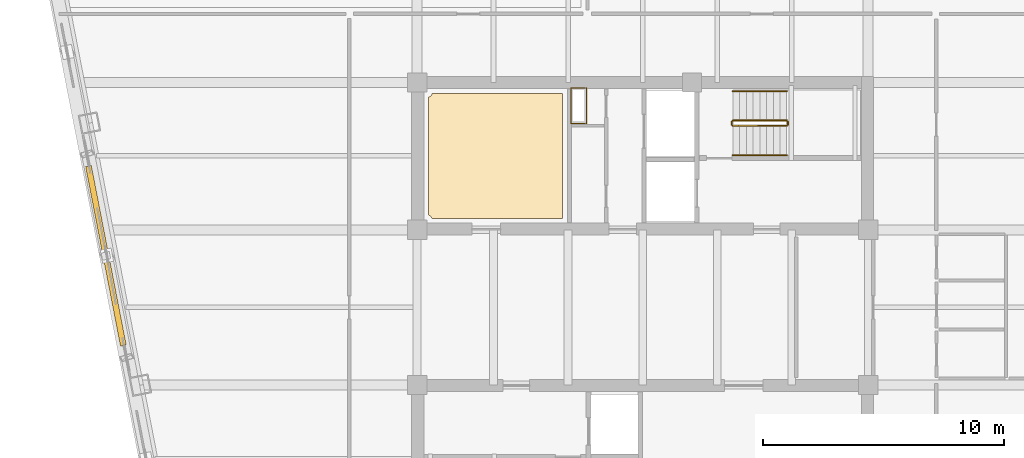
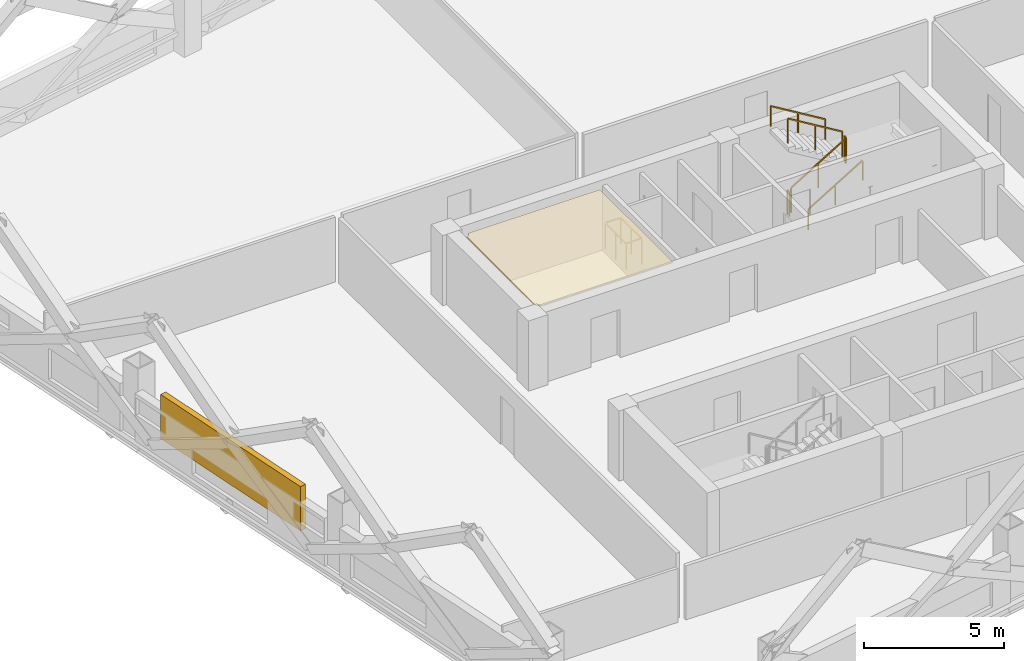
# One storey, part 9 of 10: 7 railings, 1 covering, 1 shading device.
"""IFC4 building model written with IfcOpenShell, lengths in metres."""

from ifc_helpers import new_model, si_unit, direction, frame, origin, origin_2d, place, context, subcontext, project, spatial, polyline, rectangle, outline, extrude, material, layer, layer_set, type_object, element, save


model = new_model("IFC4")

# Units and contexts
model_context = context("Model", 3, precision=1e-05, world=origin(), true_north=direction((0.0, 1.0)))
body_context = subcontext(model_context, "Body", "Model", "MODEL_VIEW")
ifc_project = project(units=[si_unit("LENGTHUNIT", "METRE"), si_unit("AREAUNIT", "SQUARE_METRE"), si_unit("VOLUMEUNIT", "CUBIC_METRE"), si_unit("PLANEANGLEUNIT", "RADIAN"), si_unit("MASSUNIT", "GRAM", prefix="KILO")], contexts=[model_context])

# Site, building, storey
site_placement = place(None, origin())
site = spatial("IfcSite", under=ifc_project, at=site_placement, CompositionType="ELEMENT")
building_placement = place(site_placement, origin())
building = spatial("IfcBuilding", under=site, at=building_placement, Name="Qhalaya Broadcast Tower", CompositionType="ELEMENT")
storey_placement = place(building_placement, frame((0.0, 0.0, 118.89990234375)))
storey = spatial("IfcBuildingStorey", under=building, at=storey_placement, Name="L34", CompositionType="ELEMENT", Elevation=118.89990234375)

# Covering
ifc_material_1 = material(Name="Acoustic Mineral-Fibre Ceiling")
ifc_layer = layer(ifc_material_1, 0.0400390625, Name="Acoustic Mineral-Fibre Ceiling")
ifc_layer_set = layer_set([ifc_layer], Name="Acoustic Mineral-Fibre Ceiling")
covering_type = type_object("IfcCoveringType", Name="Acoustic Mineral-Fibre Suspended Ceiling CLG-01", PredefinedType="CEILING", material=ifc_layer_set)
covering_placement = place(storey_placement, frame((0.0, 0.0, 2.7900390625)))
element("IfcCovering", 1, at=covering_placement, inside=storey, type_object=covering_type, Name="L34 Acoustic Suspended Ceiling 01", PredefinedType="CEILING", context=body_context, shape_type="SweptSolid", body=[
    extrude(outline(polyline([(-8.89697265625, 9.338623046875), (-8.89990234375, 9.337890625), (-8.89990234375, 4.437255859375), (-8.89697265625, 4.436279296875), (-8.87841796875, 4.4296875), (-8.860595703125, 4.42138671875), (-8.843994140625, 4.411376953125), (-8.828125, 4.399658203125), (-8.813720703125, 4.386474609375), (-8.80029296875, 4.371826171875), (-8.788818359375, 4.356201171875), (-8.778564453125, 4.33935546875), (-8.770263671875, 4.321533203125), (-8.763671875, 4.302978515625), (-8.7626953125, 4.300048828125), (-3.330078125, 4.300048828125), (-3.330078125, 9.5), (-8.757568359375, 9.5), (-8.7587890625, 9.490966796875), (-8.763671875, 9.471923828125), (-8.770263671875, 9.45361328125), (-8.778564453125, 9.435791015625), (-8.788818359375, 9.4189453125), (-8.80029296875, 9.403076171875), (-8.813720703125, 9.388671875), (-8.828125, 9.37548828125), (-8.843994140625, 9.36376953125), (-8.860595703125, 9.353515625), (-8.87841796875, 9.34521484375), (-8.89697265625, 9.338623046875)])), origin(), (0.0, 0.0, 1.0), 0.0400390625),
])

# Railings
ifc_material_2 = material(Name="Powder-Coated Galvanised Steel", Category="steel")
railing_type_1 = type_object("IfcRailingType", Name="Stair Wall Handrail 900", PredefinedType="HANDRAIL", material=ifc_material_2)
railing_1_placement = place(storey_placement, frame((3.75, 6.929931640625, 0.16943359375)))
element("IfcRailing", 2, at=railing_1_placement, inside=storey, type_object=railing_type_1, Name="L34 ST-1 Stair Handrail 1", PredefinedType="HANDRAIL", context=body_context, shape_type="SweptSolid", body=[
    extrude(rectangle(XDim=0.048095703125, YDim=0.048095703125, at=origin_2d()), frame((0.0, 0.0, 0.8759765625), z_axis=(0.855512035549, 0.0, 0.517782924622), x_axis=(0.0, 1.0, 0.0)), (0.0, 0.0, 1.0), 2.618408203125),
    extrude(rectangle(XDim=0.0419921875, YDim=0.0419921875, at=origin_2d()), origin(), (0.0, 0.0, 1.0), 0.849853515625),
    extrude(rectangle(XDim=0.0419921875, YDim=0.0419921875, at=origin_2d()), frame((1.1201171875, 0.0, 0.677734375)), (0.0, 0.0, 1.0), 0.849853515625),
    extrude(rectangle(XDim=0.0419921875, YDim=0.0419921875, at=origin_2d()), frame((2.239990234375, 0.0, 1.355712890625)), (0.0, 0.0, 1.0), 0.849853515625),
])
railing_2_placement = place(storey_placement, frame((5.989990234375, 9.590087890625, 1.694580078125)))
element("IfcRailing", 3, at=railing_2_placement, inside=storey, type_object=railing_type_1, Name="L34 ST-1 Stair Handrail 2", PredefinedType="HANDRAIL", context=body_context, shape_type="SweptSolid", body=[
    extrude(rectangle(XDim=0.048095703125, YDim=0.048095703125, at=origin_2d()), frame((0.0, 0.0, 0.8759765625), z_axis=(-0.855553338991, 0.0, 0.51771467445), x_axis=(0.0, -1.0, 0.0)), (0.0, 0.0, 1.0), 2.6181640625),
    extrude(rectangle(XDim=0.0419921875, YDim=0.0419921875, at=origin_2d()), origin(), (0.0, 0.0, 1.0), 0.849853515625),
    extrude(rectangle(XDim=0.0419921875, YDim=0.0419921875, at=origin_2d()), frame((-1.1201171875, 0.0, 0.677734375)), (0.0, 0.0, 1.0), 0.849853515625),
    extrude(rectangle(XDim=0.0419921875, YDim=0.0419921875, at=origin_2d()), frame((-2.239990234375, 0.0, 1.35546875)), (0.0, 0.0, 1.0), 0.849853515625),
])
railing_type_2 = type_object("IfcRailingType", Name="Stair Well & Landing Guardrail 1100", PredefinedType="GUARDRAIL", material=ifc_material_2)
railing_3_placement = place(storey_placement, frame((-2.340087890625, 8.239990234375, 0.0)))
element("IfcRailing", 4, at=railing_3_placement, inside=storey, type_object=railing_type_2, Name="L34 Service Riser Opening Safety Guard NRSR", PredefinedType="GUARDRAIL", context=body_context, shape_type="SweptSolid", body=[
    extrude(rectangle(XDim=0.048095703125, YDim=0.048095703125, at=origin_2d()), frame((0.0, 0.02880859375, 1.1259765625), z_axis=(0.0, 1.0, 0.0), x_axis=(-1.0, 0.0, 0.0)), (0.0, 0.0, 1.0), 1.42236328125),
    extrude(rectangle(XDim=0.048095703125, YDim=0.048095703125, at=origin_2d()), frame((-0.02880859375, 1.47998046875, 1.1259765625), z_axis=(-1.0, 0.0, 0.0), x_axis=(0.0, -1.0, 0.0)), (0.0, 0.0, 1.0), 0.582275390625),
    extrude(rectangle(XDim=0.048095703125, YDim=0.048095703125, at=origin_2d()), frame((-0.639892578125, 1.451171875, 1.1259765625), z_axis=(0.0, -1.0, 0.0), x_axis=(1.0, 0.0, 0.0)), (0.0, 0.0, 1.0), 1.42236328125),
    extrude(rectangle(XDim=0.048095703125, YDim=0.048095703125, at=origin_2d()), frame((-0.611083984375, 0.0, 1.1259765625), z_axis=(1.0, 0.0, 0.0), x_axis=(0.0, 1.0, 0.0)), (0.0, 0.0, 1.0), 0.582275390625),
    extrude(rectangle(XDim=0.0419921875, YDim=0.0419921875, at=origin_2d()), origin(), (0.0, 0.0, 1.0), 1.099853515625),
    extrude(rectangle(XDim=0.0419921875, YDim=0.0419921875, at=origin_2d()), frame((0.0, 0.739990234375, 0.0)), (0.0, 0.0, 1.0), 1.099853515625),
    extrude(rectangle(XDim=0.0419921875, YDim=0.0419921875, at=origin_2d()), frame((0.0, 1.47998046875, 0.0)), (0.0, 0.0, 1.0), 1.099853515625),
    extrude(rectangle(XDim=0.0419921875, YDim=0.0419921875, at=origin_2d()), frame((-0.639892578125, 1.47998046875, 0.0)), (0.0, 0.0, 1.0), 1.099853515625),
    extrude(rectangle(XDim=0.0419921875, YDim=0.0419921875, at=origin_2d()), frame((-0.639892578125, 0.739990234375, 0.0)), (0.0, 0.0, 1.0), 1.099853515625),
    extrude(rectangle(XDim=0.0419921875, YDim=0.0419921875, at=origin_2d()), frame((-0.639892578125, 0.0, 0.0)), (0.0, 0.0, 1.0), 1.099853515625),
])
railing_4_placement = place(storey_placement, frame((3.75, 8.14990234375, 0.16943359375)))
element("IfcRailing", 5, at=railing_4_placement, inside=storey, type_object=railing_type_2, Name="L34 ST-1 Stair Guard 1", PredefinedType="GUARDRAIL", context=body_context, shape_type="SweptSolid", body=[
    extrude(rectangle(XDim=0.048095703125, YDim=0.048095703125, at=origin_2d()), frame((0.0, 0.0, 1.076171875), z_axis=(0.855512035549, 0.0, 0.517782924622), x_axis=(0.0, 1.0, 0.0)), (0.0, 0.0, 1.0), 2.618408203125),
    extrude(rectangle(XDim=0.0419921875, YDim=0.0419921875, at=origin_2d()), origin(), (0.0, 0.0, 1.0), 1.050048828125),
    extrude(rectangle(XDim=0.0419921875, YDim=0.0419921875, at=origin_2d()), frame((1.1201171875, 0.0, 0.677734375)), (0.0, 0.0, 1.0), 1.050048828125),
    extrude(rectangle(XDim=0.0419921875, YDim=0.0419921875, at=origin_2d()), frame((2.239990234375, 0.0, 1.355712890625)), (0.0, 0.0, 1.0), 1.050048828125),
])
railing_5_placement = place(storey_placement, frame((6.0400390625, 8.199951171875, 1.525146484375)))
element("IfcRailing", 6, at=railing_5_placement, inside=storey, type_object=railing_type_2, Name="L34 ST-1 Stair Guard 2", PredefinedType="GUARDRAIL", context=body_context, shape_type="SweptSolid", body=[
    extrude(rectangle(XDim=0.048095703125, YDim=0.048095703125, at=origin_2d()), frame((0.0, 0.0, 1.076171875), z_axis=(0.0, 1.0, 0.0), x_axis=(-1.0, 0.0, 0.0)), (0.0, 0.0, 1.0), 0.1201171875),
    extrude(rectangle(XDim=0.0419921875, YDim=0.0419921875, at=origin_2d()), origin(), (0.0, 0.0, 1.0), 1.050048828125),
    extrude(rectangle(XDim=0.0419921875, YDim=0.0419921875, at=origin_2d()), frame((0.0, 0.1201171875, 0.0)), (0.0, 0.0, 1.0), 1.050048828125),
])
railing_6_placement = place(storey_placement, frame((5.989990234375, 8.3701171875, 1.694580078125)))
element("IfcRailing", 7, at=railing_6_placement, inside=storey, type_object=railing_type_2, Name="L34 ST-1 Stair Guard 3", PredefinedType="GUARDRAIL", context=body_context, shape_type="SweptSolid", body=[
    extrude(rectangle(XDim=0.048095703125, YDim=0.048095703125, at=origin_2d()), frame((0.0, 0.0, 1.076171875), z_axis=(-0.855553338991, 0.0, 0.51771467445), x_axis=(0.0, -1.0, 0.0)), (0.0, 0.0, 1.0), 2.6181640625),
    extrude(rectangle(XDim=0.0419921875, YDim=0.0419921875, at=origin_2d()), origin(), (0.0, 0.0, 1.0), 1.050048828125),
    extrude(rectangle(XDim=0.0419921875, YDim=0.0419921875, at=origin_2d()), frame((-1.1201171875, 0.0, 0.677734375)), (0.0, 0.0, 1.0), 1.050048828125),
    extrude(rectangle(XDim=0.0419921875, YDim=0.0419921875, at=origin_2d()), frame((-2.239990234375, 0.0, 1.35546875)), (0.0, 0.0, 1.0), 1.050048828125),
])
railing_7_placement = place(storey_placement, frame((3.699951171875, 8.199951171875, 0.0)))
element("IfcRailing", 8, at=railing_7_placement, inside=storey, type_object=railing_type_2, Name="L34 ST-1 Stair Guard 4", PredefinedType="GUARDRAIL", context=body_context, shape_type="SweptSolid", body=[
    extrude(rectangle(XDim=0.048095703125, YDim=0.048095703125, at=origin_2d()), frame((0.0, 0.0, 1.076171875), z_axis=(0.0, 1.0, 0.0), x_axis=(-1.0, 0.0, 0.0)), (0.0, 0.0, 1.0), 0.1201171875),
    extrude(rectangle(XDim=0.0419921875, YDim=0.0419921875, at=origin_2d()), origin(), (0.0, 0.0, 1.0), 1.050048828125),
    extrude(rectangle(XDim=0.0419921875, YDim=0.0419921875, at=origin_2d()), frame((0.0, 0.1201171875, 0.0)), (0.0, 0.0, 1.0), 1.050048828125),
])

# Shading device
ifc_material_3 = material(Name="Fired Architectural Terracotta", Category="masonry")
shading_device_type = type_object("IfcShadingDeviceType", Name="Terracotta Baguette Solar Screen Assembly TBS-01", PredefinedType="USERDEFINED", material=ifc_material_3)
shading_device_placement = place(storey_placement, frame((-22.3125, 2.742919921875, 0.79248046875), z_axis=(0.0, 0.0, 1.0), x_axis=(0.190808995377, -0.981627183448, 0.0)))
element("IfcShadingDevice", 9, at=shading_device_placement, inside=storey, type_object=shading_device_type, Name="L34 Fired Terracotta Baguette Screen W", ObjectType="BAGUETTE", PredefinedType="USERDEFINED", context=body_context, shape_type="SweptSolid", body=[
    extrude(rectangle(XDim=7.60009765625, YDim=0.239990234375, at=origin_2d()), origin(), (0.0, 0.0, 1.0), 1.924072265625),
])

save(model, "model.ifc")
